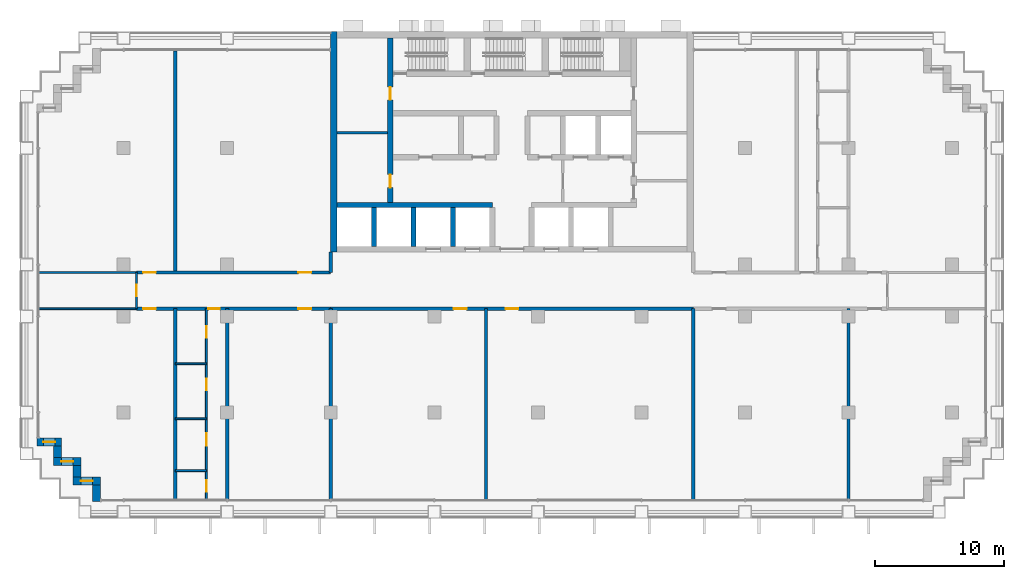
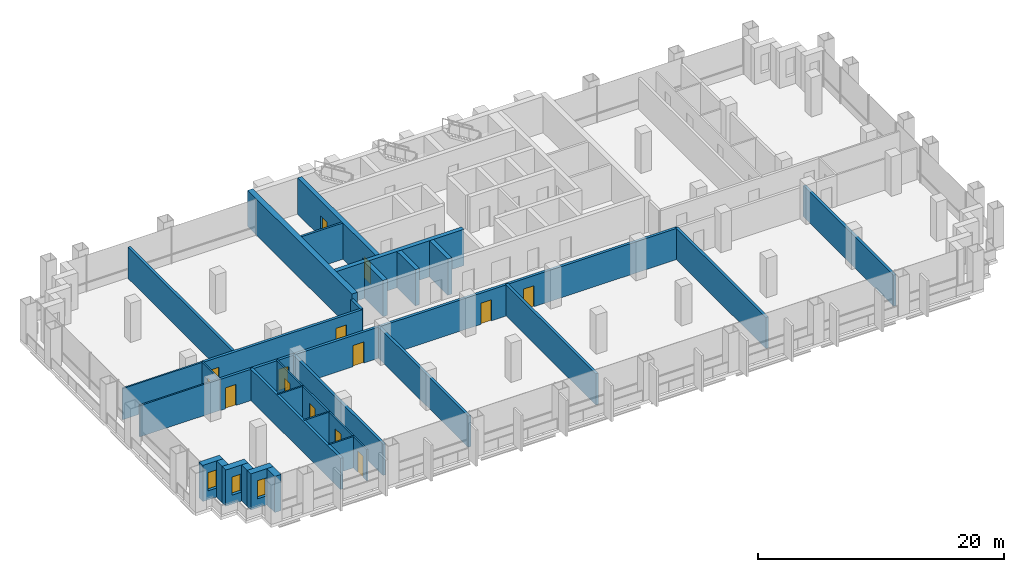
# One storey, part 7 of 13: 31 walls, 14 doors, 3 windows, 17 openings.
"""IFC4 building model written with IfcOpenShell, lengths in metres."""

from ifc_helpers import new_model, si_unit, direction, frame, frame_2d, origin, place, context, subcontext, project, spatial, rectangle, extrude, material, layer, layer_set, type_object, element, fill, save


model = new_model("IFC4")

# Units and contexts
model_context = context("Model", 3, precision=1e-05, world=origin(), true_north=direction((0.0, 1.0)))
body_context = subcontext(model_context, "Body", "Model", "MODEL_VIEW")
ifc_project = project(units=[si_unit("LENGTHUNIT", "METRE"), si_unit("AREAUNIT", "SQUARE_METRE"), si_unit("VOLUMEUNIT", "CUBIC_METRE"), si_unit("PLANEANGLEUNIT", "RADIAN"), si_unit("MASSUNIT", "GRAM", prefix="KILO")], contexts=[model_context])

# Site, building, storey
site_placement = place(None, origin())
site = spatial("IfcSite", under=ifc_project, at=site_placement, CompositionType="ELEMENT")
building_placement = place(site_placement, origin())
building = spatial("IfcBuilding", under=site, at=building_placement, Name="Vidyagriha Tower", CompositionType="ELEMENT")
storey_placement = place(building_placement, frame((0.0, 0.0, 33.800048828125)))
storey = spatial("IfcBuildingStorey", under=building, at=storey_placement, Name="L08", CompositionType="ELEMENT", Elevation=33.800048828125)

# Wall, opening, window
ifc_material_1 = material(Name="Precast concrete C40/50 with brick facing", Category="concrete")
ifc_layer_1 = layer(ifc_material_1, 0.60009765625)
ifc_layer_set_1 = layer_set([ifc_layer_1], Name="Precast concrete C40/50 with brick facing")
wall_type_1 = type_object("IfcWallType", Name="Brick-faced precast wall 600", PredefinedType="STANDARD", material=ifc_layer_set_1)
wall_1_placement = place(storey_placement, frame((-36.679931640625, -11.699951171875, 0.0)))
wall_1 = element("IfcWall", 1, at=wall_1_placement, inside=storey, type_object=wall_type_1, Name="Stepped corner wall L08 R17", PredefinedType="STANDARD", context=body_context, shape_type="SweptSolid", body=[
    extrude(rectangle(XDim=1.8798828125, YDim=0.60009765625, at=frame_2d((0.93994140625, 0.0))), origin(), (0.0, 0.0, 1.0), 3.599853515625),
])
opening_1_placement = place(wall_1_placement, frame((0.489990234375, 0.0, 0.89990234375)))
opening_1 = element("IfcOpeningElement", 2, at=opening_1_placement, cuts=wall_1, Name="Opening WN2", PredefinedType="OPENING", context=body_context, shape_type="SweptSolid", body=[
    extrude(rectangle(XDim=0.89990234375, YDim=1.800048828125, at=frame_2d((0.449951171875, 0.89990234375))), frame((0.0, 0.31005859375, 0.0), z_axis=(0.0, -1.0, 0.0), x_axis=(1.0, 0.0, 0.0)), (0.0, 0.0, 1.0), 0.6201171875),
])
ifc_material_2 = material(Name="Aluminium and glass window", Category="aluminium")
window_type = type_object("IfcWindowType", Name="Reveal window 900x1800", PartitioningType="NOTDEFINED", PredefinedType="WINDOW", material=ifc_material_2)
window_1_placement = place(opening_1_placement, origin())
window_1 = element("IfcWindow", 3, at=window_1_placement, inside=storey, type_object=window_type, Name="Reveal window L08 R17", OverallHeight=1.800048828125, OverallWidth=0.89990234375, PartitioningType="SINGLE_PANEL", PredefinedType="WINDOW", context=body_context, shape_type="SweptSolid", body=[
    extrude(rectangle(XDim=0.89990234375, YDim=1.800048828125, at=frame_2d((0.449951171875, 0.89990234375))), frame((0.0, 0.030029296875, 0.0), z_axis=(0.0, -1.0, 0.0), x_axis=(1.0, 0.0, 0.0)), (0.0, 0.0, 1.0), 0.06005859375),
])
fill(opening_1, window_1)

# Wall
wall_2_placement = place(storey_placement, frame((-35.10009765625, -12.0, 0.0), z_axis=(0.0, 0.0, 1.0), x_axis=(0.0, -1.0, 0.0)))
element("IfcWall", 4, at=wall_2_placement, inside=storey, type_object=wall_type_1, Name="Stepped corner wall L08 R18", PredefinedType="STANDARD", context=body_context, shape_type="SweptSolid", body=[
    extrude(rectangle(XDim=0.89990234375, YDim=0.60009765625, at=frame_2d((0.449951171875, 0.0))), origin(), (0.0, 0.0, 1.0), 3.599853515625),
])

# Wall, opening, window
wall_3_placement = place(storey_placement, frame((-35.39990234375, -13.199951171875, 0.0)))
wall_3 = element("IfcWall", 5, at=wall_3_placement, inside=storey, type_object=wall_type_1, Name="Stepped corner wall L08 R19", PredefinedType="STANDARD", context=body_context, shape_type="SweptSolid", body=[
    extrude(rectangle(XDim=2.099853515625, YDim=0.60009765625, at=frame_2d((1.0498046875, 0.0))), origin(), (0.0, 0.0, 1.0), 3.599853515625),
])
opening_2_placement = place(wall_3_placement, frame((0.60009765625, 0.0, 0.89990234375)))
opening_2 = element("IfcOpeningElement", 6, at=opening_2_placement, cuts=wall_3, Name="Opening WN2", PredefinedType="OPENING", context=body_context, shape_type="SweptSolid", body=[
    extrude(rectangle(XDim=0.89990234375, YDim=1.800048828125, at=frame_2d((0.449951171875, 0.89990234375))), frame((0.0, 0.31005859375, 0.0), z_axis=(0.0, -1.0, 0.0), x_axis=(1.0, 0.0, 0.0)), (0.0, 0.0, 1.0), 0.6201171875),
])
window_2_placement = place(opening_2_placement, origin())
window_2 = element("IfcWindow", 7, at=window_2_placement, inside=storey, type_object=window_type, Name="Reveal window L08 R19", OverallHeight=1.800048828125, OverallWidth=0.89990234375, PartitioningType="SINGLE_PANEL", PredefinedType="WINDOW", context=body_context, shape_type="SweptSolid", body=[
    extrude(rectangle(XDim=0.89990234375, YDim=1.800048828125, at=frame_2d((0.449951171875, 0.89990234375))), frame((0.0, 0.030029296875, 0.0), z_axis=(0.0, -1.0, 0.0), x_axis=(1.0, 0.0, 0.0)), (0.0, 0.0, 1.0), 0.06005859375),
])
fill(opening_2, window_2)

# Wall
wall_4_placement = place(storey_placement, frame((-33.60009765625, -13.5, 0.0), z_axis=(0.0, 0.0, 1.0), x_axis=(0.0, -1.0, 0.0)))
element("IfcWall", 8, at=wall_4_placement, inside=storey, type_object=wall_type_1, Name="Stepped corner wall L08 R20", PredefinedType="STANDARD", context=body_context, shape_type="SweptSolid", body=[
    extrude(rectangle(XDim=0.89990234375, YDim=0.60009765625, at=frame_2d((0.449951171875, 0.0))), origin(), (0.0, 0.0, 1.0), 3.599853515625),
])

# Wall, opening, window
wall_5_placement = place(storey_placement, frame((-33.89990234375, -14.699951171875, 0.0)))
wall_5 = element("IfcWall", 9, at=wall_5_placement, inside=storey, type_object=wall_type_1, Name="Stepped corner wall L08 R21", PredefinedType="STANDARD", context=body_context, shape_type="SweptSolid", body=[
    extrude(rectangle(XDim=2.099853515625, YDim=0.60009765625, at=frame_2d((1.0498046875, 0.0))), origin(), (0.0, 0.0, 1.0), 3.599853515625),
])
opening_3_placement = place(wall_5_placement, frame((0.60009765625, 0.0, 0.89990234375)))
opening_3 = element("IfcOpeningElement", 10, at=opening_3_placement, cuts=wall_5, Name="Opening WN2", PredefinedType="OPENING", context=body_context, shape_type="SweptSolid", body=[
    extrude(rectangle(XDim=0.89990234375, YDim=1.800048828125, at=frame_2d((0.449951171875, 0.89990234375))), frame((0.0, 0.31005859375, 0.0), z_axis=(0.0, -1.0, 0.0), x_axis=(1.0, 0.0, 0.0)), (0.0, 0.0, 1.0), 0.6201171875),
])
window_3_placement = place(opening_3_placement, origin())
window_3 = element("IfcWindow", 11, at=window_3_placement, inside=storey, type_object=window_type, Name="Reveal window L08 R21", OverallHeight=1.800048828125, OverallWidth=0.89990234375, PartitioningType="SINGLE_PANEL", PredefinedType="WINDOW", context=body_context, shape_type="SweptSolid", body=[
    extrude(rectangle(XDim=0.89990234375, YDim=1.800048828125, at=frame_2d((0.449951171875, 0.89990234375))), frame((0.0, 0.030029296875, 0.0), z_axis=(0.0, -1.0, 0.0), x_axis=(1.0, 0.0, 0.0)), (0.0, 0.0, 1.0), 0.06005859375),
])
fill(opening_3, window_3)

# Wall
wall_6_placement = place(storey_placement, frame((-32.10009765625, -15.0, 0.0), z_axis=(0.0, 0.0, 1.0), x_axis=(0.0, -1.0, 0.0)))
element("IfcWall", 12, at=wall_6_placement, inside=storey, type_object=wall_type_1, Name="Stepped corner wall L08 R22", PredefinedType="STANDARD", context=body_context, shape_type="SweptSolid", body=[
    extrude(rectangle(XDim=1.280029296875, YDim=0.60009765625, at=frame_2d((0.64013671875, 0.0))), origin(), (0.0, 0.0, 1.0), 3.599853515625),
])

# Wall, openings, doors
ifc_material_3 = material(Name="Concrete C60/75", Category="concrete")
ifc_layer_2 = layer(ifc_material_3, 0.39990234375)
ifc_layer_set_2 = layer_set([ifc_layer_2], Name="Concrete C60/75")
wall_type_2 = type_object("IfcWallType", Name="Core shear wall 400 mm", PredefinedType="SHEAR", material=ifc_layer_set_2)
wall_7_placement = place(storey_placement, frame((-9.39990234375, 6.800048828125, 0.0), z_axis=(0.0, 0.0, 1.0), x_axis=(0.0, 1.0, 0.0)))
wall_7 = element("IfcWall", 13, at=wall_7_placement, inside=storey, type_object=wall_type_2, Name="Core west spine wall", PredefinedType="SHEAR", context=body_context, shape_type="SweptSolid", body=[
    extrude(rectangle(XDim=12.699951171875, YDim=0.39990234375, at=frame_2d((6.35009765625, 0.0))), origin(), (0.0, 0.0, 1.0), 3.599853515625),
])
opening_4_placement = place(wall_7_placement, frame((1.14990234375, 0.0, 0.0)))
opening_4 = element("IfcOpeningElement", 14, at=opening_4_placement, cuts=wall_7, Name="Opening D08-09", PredefinedType="OPENING", context=body_context, shape_type="SweptSolid", body=[
    extrude(rectangle(XDim=1.0, YDim=2.10009765625, at=frame_2d((0.5, 1.050048828125))), frame((0.0, 0.2099609375, 0.0), z_axis=(0.0, -1.0, 0.0), x_axis=(1.0, 0.0, 0.0)), (0.0, 0.0, 1.0), 0.419921875),
])
opening_5_placement = place(wall_7_placement, frame((7.925048828125, 0.0, 0.0)))
opening_5 = element("IfcOpeningElement", 15, at=opening_5_placement, cuts=wall_7, Name="Opening D08-10", PredefinedType="OPENING", context=body_context, shape_type="SweptSolid", body=[
    extrude(rectangle(XDim=1.0, YDim=2.10009765625, at=frame_2d((0.5, 1.050048828125))), frame((0.0, 0.2099609375, 0.0), z_axis=(0.0, -1.0, 0.0), x_axis=(1.0, 0.0, 0.0)), (0.0, 0.0, 1.0), 0.419921875),
])
ifc_material_4 = material(Name="Hollow metal door leaf")
door_type_1 = type_object("IfcDoorType", Name="Core room door 1000 x 2100 mm EI 60", OperationType="NOTDEFINED", PredefinedType="DOOR", material=ifc_material_4)
door_1_placement = place(opening_4_placement, frame((1.0, 0.0, 0.0), z_axis=(0.0, 0.0, 1.0), x_axis=(-1.0, 0.0, 0.0)))
door_1 = element("IfcDoor", 16, at=door_1_placement, inside=storey, type_object=door_type_1, Name="Door Communications Room 08.W1", OperationType="SINGLE_SWING_RIGHT", OverallHeight=2.10009765625, OverallWidth=1.0, PredefinedType="DOOR", context=body_context, shape_type="SweptSolid", body=[
    extrude(rectangle(XDim=1.0, YDim=2.10009765625, at=frame_2d((0.5, 1.050048828125))), frame((0.0, 0.02490234375, 0.0), z_axis=(0.0, -1.0, 0.0), x_axis=(1.0, 0.0, 0.0)), (0.0, 0.0, 1.0), 0.050048828125),
])
fill(opening_4, door_1)
door_2_placement = place(opening_5_placement, frame((1.0, 0.0, 0.0), z_axis=(0.0, 0.0, 1.0), x_axis=(-1.0, 0.0, 0.0)))
door_2 = element("IfcDoor", 17, at=door_2_placement, inside=storey, type_object=door_type_1, Name="Door Riser Room 08.W2", OperationType="SINGLE_SWING_LEFT", OverallHeight=2.10009765625, OverallWidth=1.0, PredefinedType="DOOR", context=body_context, shape_type="SweptSolid", body=[
    extrude(rectangle(XDim=1.0, YDim=2.10009765625, at=frame_2d((0.5, 1.050048828125))), frame((0.0, 0.02490234375, 0.0), z_axis=(0.0, -1.0, 0.0), x_axis=(1.0, 0.0, 0.0)), (0.0, 0.0, 1.0), 0.050048828125),
])
fill(opening_5, door_2)

# Walls
wall_8_placement = place(storey_placement, frame((-13.5, 6.60009765625, 0.0)))
element("IfcWall", 18, at=wall_8_placement, inside=storey, type_object=wall_type_2, Name="Core lobby south wall west", PredefinedType="SHEAR", context=body_context, shape_type="SweptSolid", body=[
    extrude(rectangle(XDim=11.977783203125, YDim=0.39990234375, at=frame_2d((5.98876953125, 0.0))), origin(), (0.0, 0.0, 1.0), 3.599853515625),
])
for number, where, z_axis, x_axis, name in (
    (19, (-10.655517578125, 3.39990234375, 0.0), (0.0, 0.0, 1.0), (0.0, 1.0, 0.0), "Core bay wall S1"),
    (20, (-7.611083984375, 3.39990234375, 0.0), (0.0, 0.0, 1.0), (0.0, 1.0, 0.0), "Core bay wall S2"),
    (21, (-4.566650390625, 3.39990234375, 0.0), (0.0, 0.0, 1.0), (0.0, 1.0, 0.0), "Core bay wall S3"),
):
    element("IfcWall", number, at=place(storey_placement, frame(where, z_axis=z_axis, x_axis=x_axis)), inside=storey, type_object=wall_type_2, Name=name, PredefinedType="SHEAR", context=body_context, shape_type="SweptSolid", body=[
        extrude(rectangle(XDim=3.0, YDim=0.39990234375, at=frame_2d((1.5, 0.0))), origin(), (0.0, 0.0, 1.0), 3.599853515625),
    ])
ifc_material_5 = material(Name="Concrete C60/75", Category="concrete")
ifc_layer_3 = layer(ifc_material_5, 0.5)
ifc_layer_set_3 = layer_set([ifc_layer_3], Name="Concrete C60/75")
wall_type_3 = type_object("IfcWallType", Name="Core shear wall 500 mm", PredefinedType="SHEAR", material=ifc_layer_set_3)
wall_9_placement = place(storey_placement, frame((-13.75, 3.0, 0.0), z_axis=(0.0, 0.0, 1.0), x_axis=(0.0, 1.0, 0.0)))
element("IfcWall", 22, at=wall_9_placement, inside=storey, type_object=wall_type_3, Name="Core west wall", PredefinedType="SHEAR", context=body_context, shape_type="SweptSolid", body=[
    extrude(rectangle(XDim=17.0, YDim=0.5, at=frame_2d((8.5, 0.0))), origin(), (0.0, 0.0, 1.0), 3.599853515625),
])

# Wall, openings, doors
ifc_material_6 = material(Name="Fired clay brick masonry", Category="masonry")
ifc_layer_4 = layer(ifc_material_6, 0.25)
ifc_layer_set_4 = layer_set([ifc_layer_4], Name="Fired clay brick masonry")
wall_type_4 = type_object("IfcWallType", Name="Fired clay brick corridor wall 250", PredefinedType="PARTITIONING", material=ifc_layer_set_4)
wall_10_placement = place(storey_placement, frame((-14.0, -1.39990234375, 0.0), z_axis=(0.0, 0.0, 1.0), x_axis=(-1.0, 0.0, 0.0)))
wall_10 = element("IfcWall", 23, at=wall_10_placement, inside=storey, type_object=wall_type_4, Name="Wall all-L08-w001", PredefinedType="PARTITIONING", context=body_context, shape_type="SweptSolid", body=[
    extrude(rectangle(XDim=15.0, YDim=0.25, at=frame_2d((7.5, 0.0))), origin(), (0.0, 0.0, 1.0), 3.099853515625),
])
opening_6_placement = place(wall_10_placement, frame((1.5, 0.0, 0.0)))
opening_6 = element("IfcOpeningElement", 24, at=opening_6_placement, cuts=wall_10, Name="Opening D08-14", PredefinedType="OPENING", context=body_context, shape_type="SweptSolid", body=[
    extrude(rectangle(XDim=1.0, YDim=2.10009765625, at=frame_2d((0.5, 1.050048828125))), frame((0.0, 0.135009765625, 0.0), z_axis=(0.0, -1.0, 0.0), x_axis=(1.0, 0.0, 0.0)), (0.0, 0.0, 1.0), 0.27001953125),
])
opening_7_placement = place(wall_10_placement, frame((8.554931640625, 0.0, 0.0)))
opening_7 = element("IfcOpeningElement", 25, at=opening_7_placement, cuts=wall_10, Name="Opening D08-19", PredefinedType="OPENING", context=body_context, shape_type="SweptSolid", body=[
    extrude(rectangle(XDim=0.89990234375, YDim=2.10009765625, at=frame_2d((0.449951171875, 1.050048828125))), frame((0.0, 0.135009765625, 0.0), z_axis=(0.0, -1.0, 0.0), x_axis=(1.0, 0.0, 0.0)), (0.0, 0.0, 1.0), 0.27001953125),
])
opening_8_placement = place(wall_10_placement, frame((13.5, 0.0, 0.0)))
opening_8 = element("IfcOpeningElement", 26, at=opening_8_placement, cuts=wall_10, Name="Opening D08-20", PredefinedType="OPENING", context=body_context, shape_type="SweptSolid", body=[
    extrude(rectangle(XDim=1.0, YDim=2.10009765625, at=frame_2d((0.5, 1.050048828125))), frame((0.0, 0.135009765625, 0.0), z_axis=(0.0, -1.0, 0.0), x_axis=(1.0, 0.0, 0.0)), (0.0, 0.0, 1.0), 0.27001953125),
])
ifc_material_7 = material(Name="Fire-rated timber door leaf EI 60", Category="wood")
door_type_2 = type_object("IfcDoorType", Name="Flat entrance fire door 1000x2100", OperationType="NOTDEFINED", PredefinedType="DOOR", material=ifc_material_7)
door_3_placement = place(opening_6_placement, origin())
door_3 = element("IfcDoor", 27, at=door_3_placement, inside=storey, type_object=door_type_2, Name="Door D08-14", OperationType="SINGLE_SWING_LEFT", OverallHeight=2.10009765625, OverallWidth=1.0, PredefinedType="DOOR", context=body_context, shape_type="SweptSolid", body=[
    extrude(rectangle(XDim=1.0, YDim=2.10009765625, at=frame_2d((0.5, 1.050048828125))), frame((0.0, 0.02490234375, 0.0), z_axis=(0.0, -1.0, 0.0), x_axis=(1.0, 0.0, 0.0)), (0.0, 0.0, 1.0), 0.050048828125),
])
fill(opening_6, door_3)
door_4_placement = place(opening_8_placement, origin())
door_4 = element("IfcDoor", 28, at=door_4_placement, inside=storey, type_object=door_type_2, Name="Door D08-20", OperationType="SINGLE_SWING_LEFT", OverallHeight=2.10009765625, OverallWidth=1.0, PredefinedType="DOOR", context=body_context, shape_type="SweptSolid", body=[
    extrude(rectangle(XDim=1.0, YDim=2.10009765625, at=frame_2d((0.5, 1.050048828125))), frame((0.0, 0.02490234375, 0.0), z_axis=(0.0, -1.0, 0.0), x_axis=(1.0, 0.0, 0.0)), (0.0, 0.0, 1.0), 0.050048828125),
])
fill(opening_8, door_4)
ifc_material_8 = material(Name="Fire-rated timber door leaf EI 60", Category="wood")
door_type_3 = type_object("IfcDoorType", Name="Flat entrance fire door 900x2100", OperationType="NOTDEFINED", PredefinedType="DOOR", material=ifc_material_8)
door_5_placement = place(opening_7_placement, origin())
door_5 = element("IfcDoor", 29, at=door_5_placement, inside=storey, type_object=door_type_3, Name="Door D08-19", OperationType="SINGLE_SWING_RIGHT", OverallHeight=2.10009765625, OverallWidth=0.89990234375, PredefinedType="DOOR", context=body_context, shape_type="SweptSolid", body=[
    extrude(rectangle(XDim=0.89990234375, YDim=2.10009765625, at=frame_2d((0.449951171875, 1.050048828125))), frame((0.0, 0.02490234375, 0.0), z_axis=(0.0, -1.0, 0.0), x_axis=(1.0, 0.0, 0.0)), (0.0, 0.0, 1.0), 0.050048828125),
])
fill(opening_7, door_5)

wall_11_placement = place(storey_placement, frame((-29.0, 1.39990234375, 0.0)))
wall_11 = element("IfcWall", 30, at=wall_11_placement, inside=storey, type_object=wall_type_4, Name="Wall all-L08-w019", PredefinedType="PARTITIONING", context=body_context, shape_type="SweptSolid", body=[
    extrude(rectangle(XDim=15.0, YDim=0.25, at=frame_2d((7.5, 0.0))), origin(), (0.0, 0.0, 1.0), 3.099853515625),
])
opening_9_placement = place(wall_11_placement, frame((12.5, 0.0, 0.0)))
opening_9 = element("IfcOpeningElement", 31, at=opening_9_placement, cuts=wall_11, Name="Opening D08-22", PredefinedType="OPENING", context=body_context, shape_type="SweptSolid", body=[
    extrude(rectangle(XDim=1.0, YDim=2.10009765625, at=frame_2d((0.5, 1.050048828125))), frame((0.0, 0.135009765625, 0.0), z_axis=(0.0, -1.0, 0.0), x_axis=(1.0, 0.0, 0.0)), (0.0, 0.0, 1.0), 0.27001953125),
])
opening_10_placement = place(wall_11_placement, frame((0.5, 0.0, 0.0)))
opening_10 = element("IfcOpeningElement", 32, at=opening_10_placement, cuts=wall_11, Name="Opening D08-23", PredefinedType="OPENING", context=body_context, shape_type="SweptSolid", body=[
    extrude(rectangle(XDim=1.0, YDim=2.10009765625, at=frame_2d((0.5, 1.050048828125))), frame((0.0, 0.135009765625, 0.0), z_axis=(0.0, -1.0, 0.0), x_axis=(1.0, 0.0, 0.0)), (0.0, 0.0, 1.0), 0.27001953125),
])
door_6_placement = place(opening_9_placement, origin())
door_6 = element("IfcDoor", 33, at=door_6_placement, inside=storey, type_object=door_type_2, Name="Door D08-22", OperationType="SINGLE_SWING_RIGHT", OverallHeight=2.10009765625, OverallWidth=1.0, PredefinedType="DOOR", context=body_context, shape_type="SweptSolid", body=[
    extrude(rectangle(XDim=1.0, YDim=2.10009765625, at=frame_2d((0.5, 1.050048828125))), frame((0.0, 0.02490234375, 0.0), z_axis=(0.0, -1.0, 0.0), x_axis=(1.0, 0.0, 0.0)), (0.0, 0.0, 1.0), 0.050048828125),
])
fill(opening_9, door_6)
door_7_placement = place(opening_10_placement, origin())
door_7 = element("IfcDoor", 34, at=door_7_placement, inside=storey, type_object=door_type_2, Name="Door D08-23", OperationType="SINGLE_SWING_RIGHT", OverallHeight=2.10009765625, OverallWidth=1.0, PredefinedType="DOOR", context=body_context, shape_type="SweptSolid", body=[
    extrude(rectangle(XDim=1.0, YDim=2.10009765625, at=frame_2d((0.5, 1.050048828125))), frame((0.0, 0.02490234375, 0.0), z_axis=(0.0, -1.0, 0.0), x_axis=(1.0, 0.0, 0.0)), (0.0, 0.0, 1.0), 0.050048828125),
])
fill(opening_10, door_7)

wall_12_placement = place(storey_placement, frame((14.0, -1.39990234375, 0.0), z_axis=(0.0, 0.0, 1.0), x_axis=(-1.0, 0.0, 0.0)))
wall_12 = element("IfcWall", 35, at=wall_12_placement, inside=storey, type_object=wall_type_4, Name="Wall all-L08-w050", PredefinedType="PARTITIONING", context=body_context, shape_type="SweptSolid", body=[
    extrude(rectangle(XDim=28.0, YDim=0.25, at=frame_2d((14.0, 0.0))), origin(), (0.0, 0.0, 1.0), 3.099853515625),
])
opening_11_placement = place(wall_12_placement, frame((17.5, 0.0, 0.0)))
opening_11 = element("IfcOpeningElement", 36, at=opening_11_placement, cuts=wall_12, Name="Opening D08-34", PredefinedType="OPENING", context=body_context, shape_type="SweptSolid", body=[
    extrude(rectangle(XDim=1.0, YDim=2.10009765625, at=frame_2d((0.5, 1.050048828125))), frame((0.0, 0.135009765625, 0.0), z_axis=(0.0, -1.0, 0.0), x_axis=(1.0, 0.0, 0.0)), (0.0, 0.0, 1.0), 0.27001953125),
])
opening_12_placement = place(wall_12_placement, frame((13.5, 0.0, 0.0)))
opening_12 = element("IfcOpeningElement", 37, at=opening_12_placement, cuts=wall_12, Name="Opening D08-35", PredefinedType="OPENING", context=body_context, shape_type="SweptSolid", body=[
    extrude(rectangle(XDim=1.0, YDim=2.10009765625, at=frame_2d((0.5, 1.050048828125))), frame((0.0, 0.135009765625, 0.0), z_axis=(0.0, -1.0, 0.0), x_axis=(1.0, 0.0, 0.0)), (0.0, 0.0, 1.0), 0.27001953125),
])
door_8_placement = place(opening_11_placement, origin())
door_8 = element("IfcDoor", 38, at=door_8_placement, inside=storey, type_object=door_type_2, Name="Door D08-34", OperationType="SINGLE_SWING_LEFT", OverallHeight=2.10009765625, OverallWidth=1.0, PredefinedType="DOOR", context=body_context, shape_type="SweptSolid", body=[
    extrude(rectangle(XDim=1.0, YDim=2.10009765625, at=frame_2d((0.5, 1.050048828125))), frame((0.0, 0.02490234375, 0.0), z_axis=(0.0, -1.0, 0.0), x_axis=(1.0, 0.0, 0.0)), (0.0, 0.0, 1.0), 0.050048828125),
])
fill(opening_11, door_8)
door_9_placement = place(opening_12_placement, origin())
door_9 = element("IfcDoor", 39, at=door_9_placement, inside=storey, type_object=door_type_2, Name="Door D08-35", OperationType="SINGLE_SWING_RIGHT", OverallHeight=2.10009765625, OverallWidth=1.0, PredefinedType="DOOR", context=body_context, shape_type="SweptSolid", body=[
    extrude(rectangle(XDim=1.0, YDim=2.10009765625, at=frame_2d((0.5, 1.050048828125))), frame((0.0, 0.02490234375, 0.0), z_axis=(0.0, -1.0, 0.0), x_axis=(1.0, 0.0, 0.0)), (0.0, 0.0, 1.0), 0.050048828125),
])
fill(opening_12, door_9)

# Walls
wall_13_placement = place(storey_placement, frame((-14.0, 3.0, 0.0), z_axis=(0.0, 0.0, 1.0), x_axis=(0.0, -1.0, 0.0)))
element("IfcWall", 40, at=wall_13_placement, inside=storey, type_object=wall_type_4, Name="Wall all-L08-w051", PredefinedType="PARTITIONING", context=body_context, shape_type="SweptSolid", body=[
    extrude(rectangle(XDim=1.60009765625, YDim=0.25, at=frame_2d((0.800048828125, 0.0))), origin(), (0.0, 0.0, 1.0), 3.099853515625),
])
ifc_material_9 = material(Name="Fired clay brick masonry", Category="masonry")
ifc_layer_5 = layer(ifc_material_9, 0.25)
ifc_layer_set_5 = layer_set([ifc_layer_5], Name="Fired clay brick masonry")
wall_type_5 = type_object("IfcWallType", Name="Fired clay brick demising wall 250", PredefinedType="PARTITIONING", material=ifc_layer_set_5)
for number, where, z_axis, x_axis, name in (
    (41, (-26.0, -1.39990234375, 0.0), (0.0, 0.0, 1.0), (0.0, -1.0, 0.0), "Wall all-L08-w016"),
    (42, (-22.0, -1.39990234375, 0.0), (0.0, 0.0, 1.0), (0.0, -1.0, 0.0), "Wall all-L08-w017"),
    (43, (-14.0, -1.39990234375, 0.0), (0.0, 0.0, 1.0), (0.0, -1.0, 0.0), "Wall all-L08-w018"),
):
    element("IfcWall", number, at=place(storey_placement, frame(where, z_axis=z_axis, x_axis=x_axis)), inside=storey, type_object=wall_type_5, Name=name, PredefinedType="PARTITIONING", context=body_context, shape_type="SweptSolid", body=[
        extrude(rectangle(XDim=14.72119140625, YDim=0.25, at=frame_2d((7.360595703125, 0.0))), origin(), (0.0, 0.0, 1.0), 3.099853515625),
    ])
wall_14_placement = place(storey_placement, frame((-26.0, 18.52099609375, 0.0), z_axis=(0.0, 0.0, 1.0), x_axis=(0.0, -1.0, 0.0)))
element("IfcWall", 44, at=wall_14_placement, inside=storey, type_object=wall_type_5, Name="Wall all-L08-w023", PredefinedType="PARTITIONING", context=body_context, shape_type="SweptSolid", body=[
    extrude(rectangle(XDim=17.12109375, YDim=0.25, at=frame_2d((8.560546875, 0.0))), origin(), (0.0, 0.0, 1.0), 3.099853515625),
])
for number, where, z_axis, x_axis, name in (
    (45, (14.0, -1.39990234375, 0.0), (0.0, 0.0, 1.0), (0.0, -1.0, 0.0), "Wall all-L08-w030"),
    (46, (26.0, -1.39990234375, 0.0), (0.0, 0.0, 1.0), (0.0, -1.0, 0.0), "Wall all-L08-w031"),
    (47, (-2.0, -1.39990234375, 0.0), (0.0, 0.0, 1.0), (0.0, -1.0, 0.0), "Wall all-L08-w049"),
):
    element("IfcWall", number, at=place(storey_placement, frame(where, z_axis=z_axis, x_axis=x_axis)), inside=storey, type_object=wall_type_5, Name=name, PredefinedType="PARTITIONING", context=body_context, shape_type="SweptSolid", body=[
        extrude(rectangle(XDim=14.72119140625, YDim=0.25, at=frame_2d((7.360595703125, 0.0))), origin(), (0.0, 0.0, 1.0), 3.099853515625),
    ])
ifc_material_10 = material(Name="Gypsum board partition")
ifc_layer_6 = layer(ifc_material_10, 0.14990234375)
ifc_layer_set_6 = layer_set([ifc_layer_6], Name="Gypsum board partition")
wall_type_6 = type_object("IfcWallType", Name="Gypsum board partition 150", PredefinedType="PARTITIONING", material=ifc_layer_set_6)
wall_15_placement = place(storey_placement, frame((-29.0, -1.39990234375, 0.0), z_axis=(0.0, 0.0, 1.0), x_axis=(-1.0, 0.0, 0.0)))
element("IfcWall", 48, at=wall_15_placement, inside=storey, type_object=wall_type_6, Name="Wall all-L08-w002", PredefinedType="PARTITIONING", context=body_context, shape_type="SweptSolid", body=[
    extrude(rectangle(XDim=7.530029296875, YDim=0.14990234375, at=frame_2d((3.76513671875, 0.0))), origin(), (0.0, 0.0, 1.0), 3.099853515625),
])

# Wall, opening, door
wall_16_placement = place(storey_placement, frame((-29.0, 1.39990234375, 0.0), z_axis=(0.0, 0.0, 1.0), x_axis=(0.0, -1.0, 0.0)))
wall_16 = element("IfcWall", 49, at=wall_16_placement, inside=storey, type_object=wall_type_6, Name="Wall all-L08-w003", PredefinedType="PARTITIONING", context=body_context, shape_type="SweptSolid", body=[
    extrude(rectangle(XDim=2.7998046875, YDim=0.14990234375, at=frame_2d((1.39990234375, 0.0))), origin(), (0.0, 0.0, 1.0), 3.099853515625),
])
opening_13_placement = place(wall_16_placement, frame((0.949951171875, 0.0, 0.0)))
opening_13 = element("IfcOpeningElement", 50, at=opening_13_placement, cuts=wall_16, Name="Opening D08-21", PredefinedType="OPENING", context=body_context, shape_type="SweptSolid", body=[
    extrude(rectangle(XDim=0.89990234375, YDim=2.10009765625, at=frame_2d((0.449951171875, 1.050048828125))), frame((0.0, 0.0849609375, 0.0), z_axis=(0.0, -1.0, 0.0), x_axis=(1.0, 0.0, 0.0)), (0.0, 0.0, 1.0), 0.169921875),
])
ifc_material_11 = material(Name="Timber door leaf", Category="wood")
door_type_4 = type_object("IfcDoorType", Name="Room door 900x2100", OperationType="NOTDEFINED", PredefinedType="DOOR", material=ifc_material_11)
door_10_placement = place(opening_13_placement, origin())
door_10 = element("IfcDoor", 51, at=door_10_placement, inside=storey, type_object=door_type_4, Name="Door D08-21", OperationType="SINGLE_SWING_RIGHT", OverallHeight=2.10009765625, OverallWidth=0.89990234375, PredefinedType="DOOR", context=body_context, shape_type="SweptSolid", body=[
    extrude(rectangle(XDim=0.89990234375, YDim=2.10009765625, at=frame_2d((0.449951171875, 1.050048828125))), frame((0.0, 0.02490234375, 0.0), z_axis=(0.0, -1.0, 0.0), x_axis=(1.0, 0.0, 0.0)), (0.0, 0.0, 1.0), 0.050048828125),
])
fill(opening_13, door_10)

# Walls
for number, where, z_axis, x_axis, name in (
    (52, (-23.60009765625, -5.64990234375, 0.0), (0.0, 0.0, 1.0), (-1.0, 0.0, 0.0), "Wall all-L08-w007"),
    (53, (-23.60009765625, -9.89990234375, 0.0), (0.0, 0.0, 1.0), (-1.0, 0.0, 0.0), "Wall all-L08-w009"),
    (54, (-23.60009765625, -13.89990234375, 0.0), (0.0, 0.0, 1.0), (-1.0, 0.0, 0.0), "Wall all-L08-w011"),
):
    element("IfcWall", number, at=place(storey_placement, frame(where, z_axis=z_axis, x_axis=x_axis)), inside=storey, type_object=wall_type_6, Name=name, PredefinedType="PARTITIONING", context=body_context, shape_type="SweptSolid", body=[
        extrude(rectangle(XDim=2.39990234375, YDim=0.14990234375, at=frame_2d((1.199951171875, 0.0))), origin(), (0.0, 0.0, 1.0), 3.099853515625),
    ])
wall_17_placement = place(storey_placement, frame((-36.530029296875, 1.39990234375, 0.0)))
element("IfcWall", 55, at=wall_17_placement, inside=storey, type_object=wall_type_6, Name="Wall all-L08-w020", PredefinedType="PARTITIONING", context=body_context, shape_type="SweptSolid", body=[
    extrude(rectangle(XDim=7.530029296875, YDim=0.14990234375, at=frame_2d((3.76513671875, 0.0))), origin(), (0.0, 0.0, 1.0), 3.099853515625),
])

# Wall, openings, doors
ifc_material_12 = material(Name="Moisture resistant gypsum board partition")
ifc_layer_7 = layer(ifc_material_12, 0.14990234375)
ifc_layer_set_7 = layer_set([ifc_layer_7], Name="Moisture resistant gypsum board partition")
wall_type_7 = type_object("IfcWallType", Name="Gypsum board wet-area partition 150", PredefinedType="PARTITIONING", material=ifc_layer_set_7)
wall_18_placement = place(storey_placement, frame((-23.60009765625, -16.12109375, 0.0), z_axis=(0.0, 0.0, 1.0), x_axis=(0.0, 1.0, 0.0)))
wall_18 = element("IfcWall", 56, at=wall_18_placement, inside=storey, type_object=wall_type_7, Name="Wall all-L08-w005", PredefinedType="PARTITIONING", context=body_context, shape_type="SweptSolid", body=[
    extrude(rectangle(XDim=14.72119140625, YDim=0.14990234375, at=frame_2d((7.360595703125, 0.0))), origin(), (0.0, 0.0, 1.0), 3.099853515625),
])
opening_14_placement = place(wall_18_placement, frame((12.4609375, 0.0, 0.0)))
opening_14 = element("IfcOpeningElement", 57, at=opening_14_placement, cuts=wall_18, Name="Opening D08-15", PredefinedType="OPENING", context=body_context, shape_type="SweptSolid", body=[
    extrude(rectangle(XDim=0.89990234375, YDim=2.10009765625, at=frame_2d((0.449951171875, 1.050048828125))), frame((0.0, 0.0849609375, 0.0), z_axis=(0.0, -1.0, 0.0), x_axis=(1.0, 0.0, 0.0)), (0.0, 0.0, 1.0), 0.169921875),
])
opening_15_placement = place(wall_18_placement, frame((8.4208984375, 0.0, 0.0)))
opening_15 = element("IfcOpeningElement", 58, at=opening_15_placement, cuts=wall_18, Name="Opening D08-16", PredefinedType="OPENING", context=body_context, shape_type="SweptSolid", body=[
    extrude(rectangle(XDim=0.89990234375, YDim=2.10009765625, at=frame_2d((0.449951171875, 1.050048828125))), frame((0.0, 0.0849609375, 0.0), z_axis=(0.0, -1.0, 0.0), x_axis=(1.0, 0.0, 0.0)), (0.0, 0.0, 1.0), 0.169921875),
])
opening_16_placement = place(wall_18_placement, frame((4.12109375, 0.0, 0.0)))
opening_16 = element("IfcOpeningElement", 59, at=opening_16_placement, cuts=wall_18, Name="Opening D08-17", PredefinedType="OPENING", context=body_context, shape_type="SweptSolid", body=[
    extrude(rectangle(XDim=1.0, YDim=2.10009765625, at=frame_2d((0.5, 1.050048828125))), frame((0.0, 0.0849609375, 0.0), z_axis=(0.0, -1.0, 0.0), x_axis=(1.0, 0.0, 0.0)), (0.0, 0.0, 1.0), 0.169921875),
])
opening_17_placement = place(wall_18_placement, frame((0.571044921875, 0.0, 0.0)))
opening_17 = element("IfcOpeningElement", 60, at=opening_17_placement, cuts=wall_18, Name="Opening D08-18", PredefinedType="OPENING", context=body_context, shape_type="SweptSolid", body=[
    extrude(rectangle(XDim=0.89990234375, YDim=2.10009765625, at=frame_2d((0.449951171875, 1.050048828125))), frame((0.0, 0.0849609375, 0.0), z_axis=(0.0, -1.0, 0.0), x_axis=(1.0, 0.0, 0.0)), (0.0, 0.0, 1.0), 0.169921875),
])
ifc_material_13 = material(Name="Timber door leaf", Category="wood")
door_type_5 = type_object("IfcDoorType", Name="Bathroom door 1000x2100", OperationType="NOTDEFINED", PredefinedType="DOOR", material=ifc_material_13)
door_11_placement = place(opening_16_placement, origin())
door_11 = element("IfcDoor", 61, at=door_11_placement, inside=storey, type_object=door_type_5, Name="Door D08-17", OperationType="SINGLE_SWING_RIGHT", OverallHeight=2.10009765625, OverallWidth=1.0, PredefinedType="DOOR", context=body_context, shape_type="SweptSolid", body=[
    extrude(rectangle(XDim=1.0, YDim=2.10009765625, at=frame_2d((0.5, 1.050048828125))), frame((0.0, 0.02490234375, 0.0), z_axis=(0.0, -1.0, 0.0), x_axis=(1.0, 0.0, 0.0)), (0.0, 0.0, 1.0), 0.050048828125),
])
fill(opening_16, door_11)
ifc_material_14 = material(Name="Timber door leaf", Category="wood")
door_type_6 = type_object("IfcDoorType", Name="Bathroom door 900x2100", OperationType="NOTDEFINED", PredefinedType="DOOR", material=ifc_material_14)
door_12_placement = place(opening_14_placement, origin())
door_12 = element("IfcDoor", 62, at=door_12_placement, inside=storey, type_object=door_type_6, Name="Door D08-15", OperationType="SINGLE_SWING_RIGHT", OverallHeight=2.10009765625, OverallWidth=0.89990234375, PredefinedType="DOOR", context=body_context, shape_type="SweptSolid", body=[
    extrude(rectangle(XDim=0.89990234375, YDim=2.10009765625, at=frame_2d((0.449951171875, 1.050048828125))), frame((0.0, 0.02490234375, 0.0), z_axis=(0.0, -1.0, 0.0), x_axis=(1.0, 0.0, 0.0)), (0.0, 0.0, 1.0), 0.050048828125),
])
fill(opening_14, door_12)
door_13_placement = place(opening_15_placement, origin())
door_13 = element("IfcDoor", 63, at=door_13_placement, inside=storey, type_object=door_type_6, Name="Door D08-16", OperationType="SINGLE_SWING_RIGHT", OverallHeight=2.10009765625, OverallWidth=0.89990234375, PredefinedType="DOOR", context=body_context, shape_type="SweptSolid", body=[
    extrude(rectangle(XDim=0.89990234375, YDim=2.10009765625, at=frame_2d((0.449951171875, 1.050048828125))), frame((0.0, 0.02490234375, 0.0), z_axis=(0.0, -1.0, 0.0), x_axis=(1.0, 0.0, 0.0)), (0.0, 0.0, 1.0), 0.050048828125),
])
fill(opening_15, door_13)
door_14_placement = place(opening_17_placement, origin())
door_14 = element("IfcDoor", 64, at=door_14_placement, inside=storey, type_object=door_type_6, Name="Door D08-18", OperationType="SINGLE_SWING_LEFT", OverallHeight=2.10009765625, OverallWidth=0.89990234375, PredefinedType="DOOR", context=body_context, shape_type="SweptSolid", body=[
    extrude(rectangle(XDim=0.89990234375, YDim=2.10009765625, at=frame_2d((0.449951171875, 1.050048828125))), frame((0.0, 0.02490234375, 0.0), z_axis=(0.0, -1.0, 0.0), x_axis=(1.0, 0.0, 0.0)), (0.0, 0.0, 1.0), 0.050048828125),
])
fill(opening_17, door_14)

# Wall
ifc_material_15 = material(Name="Blockwork 15 MPa", Category="masonry")
ifc_layer_8 = layer(ifc_material_15, 0.199951171875)
ifc_layer_set_8 = layer_set([ifc_layer_8], Name="Blockwork 15 MPa")
wall_type_8 = type_object("IfcWallType", Name="Service room partition 200 mm", PredefinedType="PARTITIONING", material=ifc_layer_set_8)
wall_19_placement = place(storey_placement, frame((-13.5, 12.199951171875, 0.0)))
element("IfcWall", 65, at=wall_19_placement, inside=storey, type_object=wall_type_8, Name="Core room partition W1", PredefinedType="PARTITIONING", context=body_context, shape_type="SweptSolid", body=[
    extrude(rectangle(XDim=3.89990234375, YDim=0.199951171875, at=frame_2d((1.949951171875, 0.0))), origin(), (0.0, 0.0, 1.0), 3.599853515625),
])

save(model, "model.ifc")
